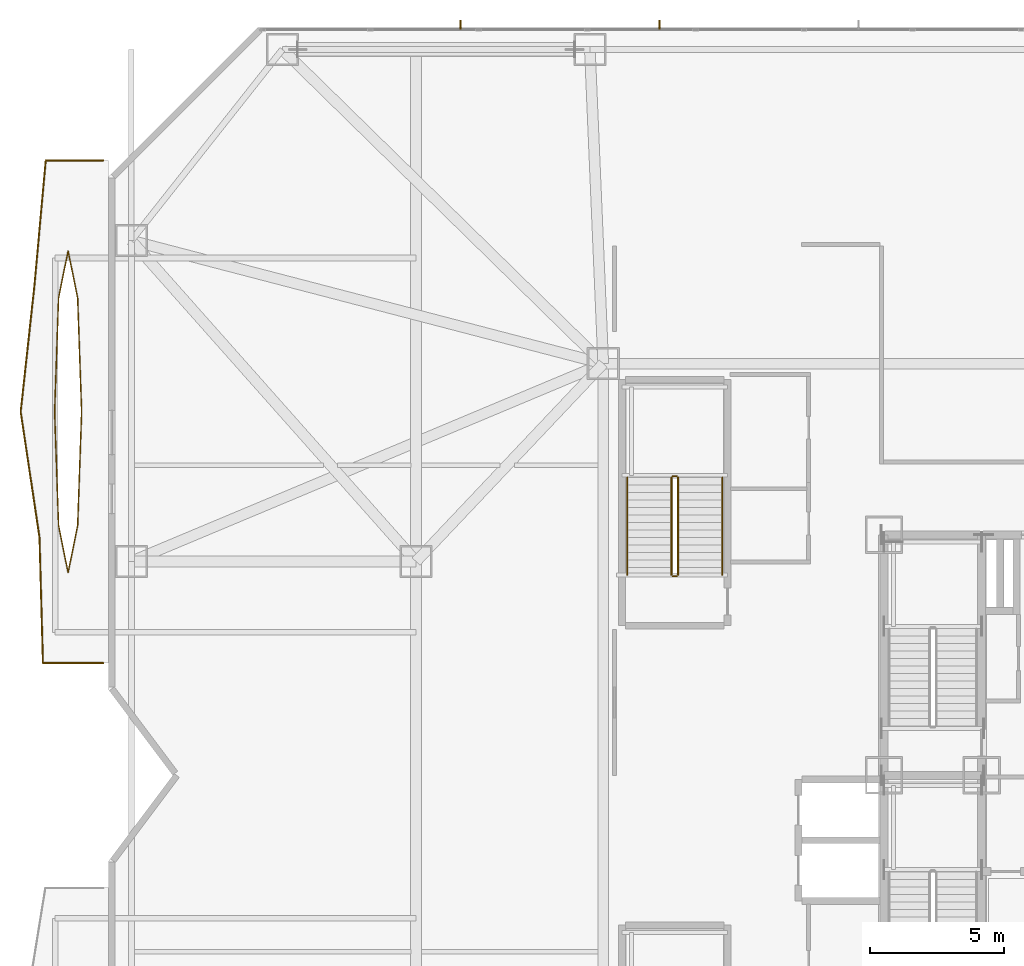
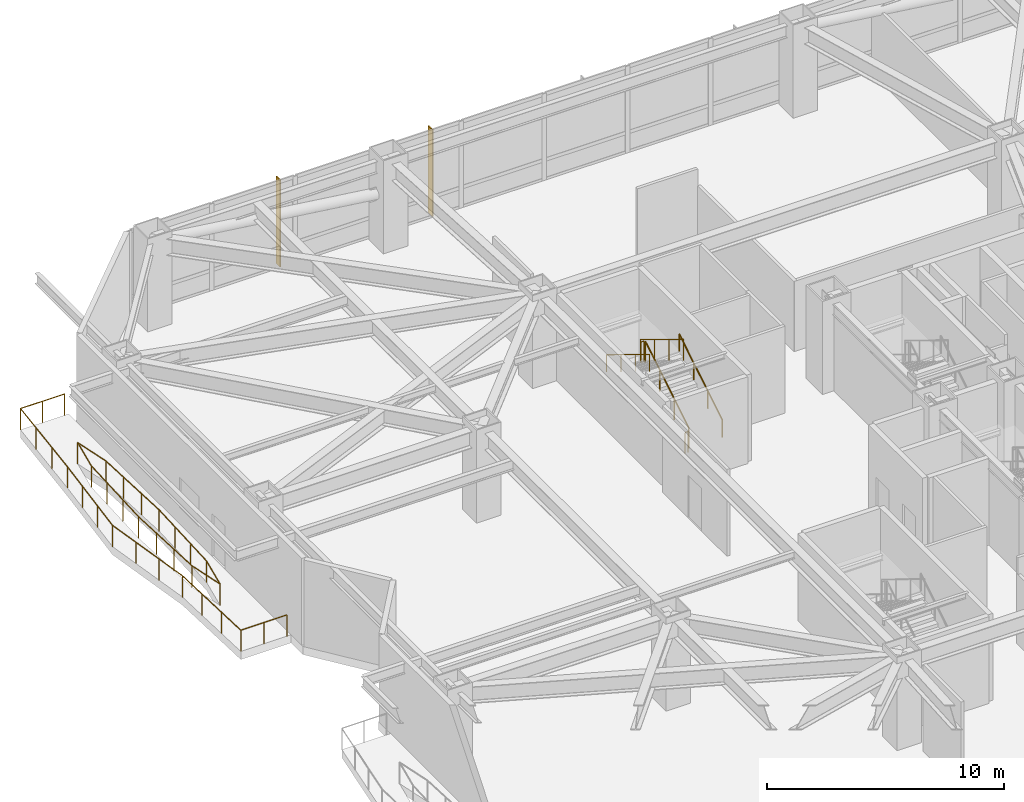
# One storey, part 31 of 33: 10 railings, 2 shading devices.
"""IFC4 building model written with IfcOpenShell, lengths in metres."""

from ifc_helpers import new_model, si_unit, direction, frame, origin, origin_2d, place, context, subcontext, project, spatial, rectangle, circle, extrude, material, type_object, element, save


model = new_model("IFC4")

# Units and contexts
model_context = context("Model", 3, precision=1e-05, world=origin(), true_north=direction((0.0, 1.0)))
body_context = subcontext(model_context, "Body", "Model", "MODEL_VIEW")
ifc_project = project(units=[si_unit("LENGTHUNIT", "METRE"), si_unit("AREAUNIT", "SQUARE_METRE"), si_unit("VOLUMEUNIT", "CUBIC_METRE"), si_unit("PLANEANGLEUNIT", "RADIAN"), si_unit("MASSUNIT", "GRAM", prefix="KILO")], contexts=[model_context])

# Site, building, storey
site_placement = place(None, origin())
site = spatial("IfcSite", under=ifc_project, at=site_placement, CompositionType="ELEMENT")
building_placement = place(site_placement, origin())
building = spatial("IfcBuilding", under=site, at=building_placement, Name="Khamvora Tower", CompositionType="ELEMENT")
storey_placement = place(building_placement, frame((0.0, 0.0, 7.199951171875)))
storey = spatial("IfcBuildingStorey", under=building, at=storey_placement, Name="L01", CompositionType="ELEMENT", Elevation=7.199951171875)

# Railings
ifc_material_1 = material(Name="Stainless Steel 316 and Laminated Glass", Category="steel")
railing_type_1 = type_object("IfcRailingType", Name="RAL-GAL-1120", PredefinedType="GUARDRAIL", material=ifc_material_1)
railing_1_placement = place(storey_placement, frame((-0.199951171875, 32.199951171875, 0.0)))
element("IfcRailing", 1, at=railing_1_placement, inside=storey, type_object=railing_type_1, Name="L01 lens gallery south perimeter guardrail WL2", PredefinedType="GUARDRAIL", context=body_context, shape_type="SweptSolid", body=[
    extrude(circle(Radius=0.02392578125, at=origin_2d()), frame((0.0, 0.0, 1.09619140625), z_axis=(-1.0, 0.0, 0.0), x_axis=(0.0, -1.0, 0.0)), (0.0, 0.0, 1.0), 2.258056640625),
    extrude(circle(Radius=0.02392578125, at=origin_2d()), frame((-2.258056640625, 0.0, 1.09619140625), z_axis=(-0.027416836445, 0.999624087885, 0.0), x_axis=(-0.999624087885, -0.027416836445, 0.0)), (0.0, 0.0, 1.0), 4.70166015625),
    extrude(circle(Radius=0.02392578125, at=origin_2d()), frame((-2.386962890625, 4.699951171875, 1.09619140625), z_axis=(-0.147948564483, 0.988995056746, 0.0), x_axis=(-0.988995056746, -0.147948564483, 0.0)), (0.0, 0.0, 1.0), 4.75244140625),
    extrude(circle(Radius=0.02099609375, at=origin_2d()), origin(), (0.0, 0.0, 1.0), 1.072021484375),
    extrude(circle(Radius=0.02099609375, at=origin_2d()), frame((-1.12890625, 0.0, 0.0)), (0.0, 0.0, 1.0), 1.072021484375),
    extrude(circle(Radius=0.02099609375, at=origin_2d()), frame((-2.258056640625, 0.0, 0.0)), (0.0, 0.0, 1.0), 1.072021484375),
    extrude(circle(Radius=0.02099609375, at=origin_2d()), frame((-2.301025390625, 1.566650390625, 0.0)), (0.0, 0.0, 1.0), 1.072021484375),
    extrude(circle(Radius=0.02099609375, at=origin_2d()), frame((-2.343994140625, 3.13330078125, 0.0)), (0.0, 0.0, 1.0), 1.072021484375),
    extrude(circle(Radius=0.02099609375, at=origin_2d()), frame((-2.386962890625, 4.699951171875, 0.0)), (0.0, 0.0, 1.0), 1.072021484375),
    extrude(circle(Radius=0.02099609375, at=origin_2d()), frame((-2.621337890625, 6.2666015625, 0.0)), (0.0, 0.0, 1.0), 1.072021484375),
    extrude(circle(Radius=0.02099609375, at=origin_2d()), frame((-2.855712890625, 7.83349609375, 0.0)), (0.0, 0.0, 1.0), 1.072021484375),
    extrude(circle(Radius=0.02099609375, at=origin_2d()), frame((-3.090087890625, 9.400146484375, 0.0)), (0.0, 0.0, 1.0), 1.072021484375),
])
railing_2_placement = place(storey_placement, frame((-3.2900390625, 41.60009765625, 0.0)))
element("IfcRailing", 2, at=railing_2_placement, inside=storey, type_object=railing_type_1, Name="L01 lens gallery north perimeter guardrail WL2", PredefinedType="GUARDRAIL", context=body_context, shape_type="SweptSolid", body=[
    extrude(circle(Radius=0.02392578125, at=origin_2d()), frame((0.0, 0.0, 1.09619140625), z_axis=(0.108084699753, 0.994141688935, 0.0), x_axis=(-0.994141688935, 0.108084699753, 0.0)), (0.0, 0.0, 1.0), 4.7275390625),
    extrude(circle(Radius=0.02392578125, at=origin_2d()), frame((0.510986328125, 4.699951171875, 1.09619140625), z_axis=(0.090274532388, 0.995916918624, 0.0), x_axis=(-0.995916918624, 0.090274532388, 0.0)), (0.0, 0.0, 1.0), 4.71923828125),
    extrude(circle(Radius=0.02392578125, at=origin_2d()), frame((0.93701171875, 9.39990234375, 1.09619140625), z_axis=(1.0, 0.0, 0.0), x_axis=(0.0, 1.0, 0.0)), (0.0, 0.0, 1.0), 2.153076171875),
    extrude(circle(Radius=0.02099609375, at=origin_2d()), origin(), (0.0, 0.0, 1.0), 1.072021484375),
    extrude(circle(Radius=0.02099609375, at=origin_2d()), frame((0.17041015625, 1.566650390625, 0.0)), (0.0, 0.0, 1.0), 1.072021484375),
    extrude(circle(Radius=0.02099609375, at=origin_2d()), frame((0.340576171875, 3.13330078125, 0.0)), (0.0, 0.0, 1.0), 1.072021484375),
    extrude(circle(Radius=0.02099609375, at=origin_2d()), frame((0.510986328125, 4.699951171875, 0.0)), (0.0, 0.0, 1.0), 1.072021484375),
    extrude(circle(Radius=0.02099609375, at=origin_2d()), frame((0.653076171875, 6.2666015625, 0.0)), (0.0, 0.0, 1.0), 1.072021484375),
    extrude(circle(Radius=0.02099609375, at=origin_2d()), frame((0.794921875, 7.833251953125, 0.0)), (0.0, 0.0, 1.0), 1.072021484375),
    extrude(circle(Radius=0.02099609375, at=origin_2d()), frame((0.93701171875, 9.39990234375, 0.0)), (0.0, 0.0, 1.0), 1.072021484375),
    extrude(circle(Radius=0.02099609375, at=origin_2d()), frame((2.013671875, 9.39990234375, 0.0)), (0.0, 0.0, 1.0), 1.072021484375),
    extrude(circle(Radius=0.02099609375, at=origin_2d()), frame((3.090087890625, 9.39990234375, 0.0)), (0.0, 0.0, 1.0), 1.072021484375),
])
railing_3_placement = place(storey_placement, frame((-1.010986328125, 41.60009765625, 0.0)))
element("IfcRailing", 3, at=railing_3_placement, inside=storey, type_object=railing_type_1, Name="L01 lens gallery void guardrail WL2A", PredefinedType="GUARDRAIL", context=body_context, shape_type="SweptSolid", body=[
    extrude(circle(Radius=0.02392578125, at=origin_2d()), frame((0.0, 0.0, 1.09619140625), z_axis=(-0.034758598303, 0.999395737355, 0.0), x_axis=(-0.999395737355, -0.034758598303, 0.0)), (0.0, 0.0, 1.0), 4.256591796875),
    extrude(circle(Radius=0.02392578125, at=origin_2d()), frame((-0.14794921875, 4.25390625, 1.09619140625), z_axis=(-0.198022438185, 0.980197487232, 0.0), x_axis=(-0.980197487232, -0.198022438185, 0.0)), (0.0, 0.0, 1.0), 1.797607421875),
    extrude(circle(Radius=0.02392578125, at=origin_2d()), frame((-0.50390625, 6.015869140625, 1.09619140625), z_axis=(-0.198152924969, -0.98017111686, 0.0), x_axis=(0.98017111686, -0.198152924969, 0.0)), (0.0, 0.0, 1.0), 1.797607421875),
    extrude(circle(Radius=0.02392578125, at=origin_2d()), frame((-0.860107421875, 4.25390625, 1.09619140625), z_axis=(-0.034758598303, -0.999395737355, 0.0), x_axis=(0.999395737355, -0.034758598303, 0.0)), (0.0, 0.0, 1.0), 4.256591796875),
    extrude(circle(Radius=0.02099609375, at=origin_2d()), origin(), (0.0, 0.0, 1.0), 1.072021484375),
    extrude(circle(Radius=0.02099609375, at=origin_2d()), frame((-0.04931640625, 1.41796875, 0.0)), (0.0, 0.0, 1.0), 1.072021484375),
    extrude(circle(Radius=0.02099609375, at=origin_2d()), frame((-0.0986328125, 2.8359375, 0.0)), (0.0, 0.0, 1.0), 1.072021484375),
    extrude(circle(Radius=0.02099609375, at=origin_2d()), frame((-0.14794921875, 4.25390625, 0.0)), (0.0, 0.0, 1.0), 1.072021484375),
    extrude(circle(Radius=0.02099609375, at=origin_2d()), frame((-0.50390625, 6.015869140625, 0.0)), (0.0, 0.0, 1.0), 1.072021484375),
    extrude(circle(Radius=0.02099609375, at=origin_2d()), frame((-0.860107421875, 4.25390625, 0.0)), (0.0, 0.0, 1.0), 1.072021484375),
    extrude(circle(Radius=0.02099609375, at=origin_2d()), frame((-0.909423828125, 2.8359375, 0.0)), (0.0, 0.0, 1.0), 1.072021484375),
    extrude(circle(Radius=0.02099609375, at=origin_2d()), frame((-0.958740234375, 1.41796875, 0.0)), (0.0, 0.0, 1.0), 1.072021484375),
    extrude(circle(Radius=0.02099609375, at=origin_2d()), frame((-1.008056640625, 0.0, 0.0)), (0.0, 0.0, 1.0), 1.072021484375),
])
railing_4_placement = place(storey_placement, frame((-2.01904296875, 41.60009765625, 0.0)))
element("IfcRailing", 4, at=railing_4_placement, inside=storey, type_object=railing_type_1, Name="L01 lens gallery void guardrail WL2B", PredefinedType="GUARDRAIL", context=body_context, shape_type="SweptSolid", body=[
    extrude(circle(Radius=0.02392578125, at=origin_2d()), frame((0.0, 0.0, 1.09619140625), z_axis=(0.034756605959, -0.999395806646, 0.0), x_axis=(0.999395806646, 0.034756605959, 0.0)), (0.0, 0.0, 1.0), 4.2568359375),
    extrude(circle(Radius=0.02392578125, at=origin_2d()), frame((0.14794921875, -4.254150390625, 1.09619140625), z_axis=(0.198152924969, -0.98017111686, 0.0), x_axis=(0.98017111686, 0.198152924969, 0.0)), (0.0, 0.0, 1.0), 1.797607421875),
    extrude(circle(Radius=0.02392578125, at=origin_2d()), frame((0.504150390625, -6.01611328125, 1.09619140625), z_axis=(0.198022438185, 0.980197487232, 0.0), x_axis=(-0.980197487232, 0.198022438185, 0.0)), (0.0, 0.0, 1.0), 1.797607421875),
    extrude(circle(Radius=0.02392578125, at=origin_2d()), frame((0.860107421875, -4.254150390625, 1.09619140625), z_axis=(0.034756605959, 0.999395806646, 0.0), x_axis=(-0.999395806646, 0.034756605959, 0.0)), (0.0, 0.0, 1.0), 4.2568359375),
    extrude(circle(Radius=0.02099609375, at=origin_2d()), origin(), (0.0, 0.0, 1.0), 1.072021484375),
    extrude(circle(Radius=0.02099609375, at=origin_2d()), frame((0.04931640625, -1.41796875, 0.0)), (0.0, 0.0, 1.0), 1.072021484375),
    extrude(circle(Radius=0.02099609375, at=origin_2d()), frame((0.0986328125, -2.836181640625, 0.0)), (0.0, 0.0, 1.0), 1.072021484375),
    extrude(circle(Radius=0.02099609375, at=origin_2d()), frame((0.14794921875, -4.254150390625, 0.0)), (0.0, 0.0, 1.0), 1.072021484375),
    extrude(circle(Radius=0.02099609375, at=origin_2d()), frame((0.504150390625, -6.01611328125, 0.0)), (0.0, 0.0, 1.0), 1.072021484375),
    extrude(circle(Radius=0.02099609375, at=origin_2d()), frame((0.860107421875, -4.254150390625, 0.0)), (0.0, 0.0, 1.0), 1.072021484375),
    extrude(circle(Radius=0.02099609375, at=origin_2d()), frame((0.909423828125, -2.836181640625, 0.0)), (0.0, 0.0, 1.0), 1.072021484375),
    extrude(circle(Radius=0.02099609375, at=origin_2d()), frame((0.958740234375, -1.41796875, 0.0)), (0.0, 0.0, 1.0), 1.072021484375),
    extrude(circle(Radius=0.02099609375, at=origin_2d()), frame((1.008056640625, 0.0, 0.0)), (0.0, 0.0, 1.0), 1.072021484375),
])
ifc_material_2 = material(Name="Brushed Stainless Steel 316", Category="steel")
railing_type_2 = type_object("IfcRailingType", Name="RAL-HDR-920", PredefinedType="HANDRAIL", material=ifc_material_2)
railing_5_placement = place(storey_placement, frame((22.949951171875, 35.5, 0.17138671875)))
element("IfcRailing", 5, at=railing_5_placement, inside=storey, type_object=railing_type_2, Name="L01 ST-04 stair handrail 1", PredefinedType="HANDRAIL", context=body_context, shape_type="SweptSolid", body=[
    extrude(circle(Radius=0.02392578125, at=origin_2d()), frame((0.0, 0.0, 0.8759765625), z_axis=(0.0, 0.852824790078, 0.522197163366), x_axis=(-1.0, 0.0, 0.0)), (0.0, 0.0, 1.0), 4.26806640625),
    extrude(circle(Radius=0.02099609375, at=origin_2d()), origin(), (0.0, 0.0, 1.0), 0.851806640625),
    extrude(circle(Radius=0.02099609375, at=origin_2d()), frame((0.0, 1.21337890625, 0.742919921875)), (0.0, 0.0, 1.0), 0.851806640625),
    extrude(circle(Radius=0.02099609375, at=origin_2d()), frame((0.0, 2.426513671875, 1.48583984375)), (0.0, 0.0, 1.0), 0.851806640625),
    extrude(circle(Radius=0.02099609375, at=origin_2d()), frame((0.0, 3.639892578125, 2.228759765625)), (0.0, 0.0, 1.0), 0.851806640625),
])
railing_6_placement = place(storey_placement, frame((19.39990234375, 39.139892578125, 2.571533203125)))
element("IfcRailing", 6, at=railing_6_placement, inside=storey, type_object=railing_type_2, Name="L01 ST-04 stair handrail 2", PredefinedType="HANDRAIL", context=body_context, shape_type="SweptSolid", body=[
    extrude(circle(Radius=0.02392578125, at=origin_2d()), frame((0.0, 0.0, 0.8759765625), z_axis=(0.0, -0.852850264322, 0.5221555579), x_axis=(1.0, 0.0, 0.0)), (0.0, 0.0, 1.0), 4.267822265625),
    extrude(circle(Radius=0.02099609375, at=origin_2d()), origin(), (0.0, 0.0, 1.0), 0.851806640625),
    extrude(circle(Radius=0.02099609375, at=origin_2d()), frame((0.0, -1.21337890625, 0.742919921875)), (0.0, 0.0, 1.0), 0.851806640625),
    extrude(circle(Radius=0.02099609375, at=origin_2d()), frame((0.0, -2.426513671875, 1.485595703125)), (0.0, 0.0, 1.0), 0.851806640625),
    extrude(circle(Radius=0.02099609375, at=origin_2d()), frame((0.0, -3.639892578125, 2.228515625)), (0.0, 0.0, 1.0), 0.851806640625),
])
ifc_material_3 = material(Name="Stainless Steel 316", Category="steel")
railing_type_3 = type_object("IfcRailingType", Name="RAL-STG-1100", PredefinedType="GUARDRAIL", material=ifc_material_3)
railing_7_placement = place(storey_placement, frame((21.300048828125, 35.5, 0.17138671875)))
element("IfcRailing", 7, at=railing_7_placement, inside=storey, type_object=railing_type_3, Name="L01 ST-04 stair guard 1", PredefinedType="GUARDRAIL", context=body_context, shape_type="SweptSolid", body=[
    extrude(circle(Radius=0.02392578125, at=origin_2d()), frame((0.0, 0.0, 1.076171875), z_axis=(0.0, 0.852824790078, 0.522197163366), x_axis=(-1.0, 0.0, 0.0)), (0.0, 0.0, 1.0), 4.26806640625),
    extrude(circle(Radius=0.02099609375, at=origin_2d()), origin(), (0.0, 0.0, 1.0), 1.052001953125),
    extrude(circle(Radius=0.02099609375, at=origin_2d()), frame((0.0, 1.21337890625, 0.742919921875)), (0.0, 0.0, 1.0), 1.052001953125),
    extrude(circle(Radius=0.02099609375, at=origin_2d()), frame((0.0, 2.426513671875, 1.48583984375)), (0.0, 0.0, 1.0), 1.052001953125),
    extrude(circle(Radius=0.02099609375, at=origin_2d()), frame((0.0, 3.639892578125, 2.228759765625)), (0.0, 0.0, 1.0), 1.052001953125),
])
railing_8_placement = place(storey_placement, frame((21.25, 39.18994140625, 2.400146484375)))
element("IfcRailing", 8, at=railing_8_placement, inside=storey, type_object=railing_type_3, Name="L01 ST-04 stair guard 2", PredefinedType="GUARDRAIL", context=body_context, shape_type="SweptSolid", body=[
    extrude(circle(Radius=0.02392578125, at=origin_2d()), frame((0.0, 0.0, 1.076171875), z_axis=(-1.0, 0.0, 0.0), x_axis=(0.0, -1.0, 0.0)), (0.0, 0.0, 1.0), 0.14990234375),
    extrude(circle(Radius=0.02099609375, at=origin_2d()), origin(), (0.0, 0.0, 1.0), 1.052001953125),
    extrude(circle(Radius=0.02099609375, at=origin_2d()), frame((-0.14990234375, 0.0, 0.0)), (0.0, 0.0, 1.0), 1.052001953125),
])
railing_9_placement = place(storey_placement, frame((21.050048828125, 39.139892578125, 2.571533203125)))
element("IfcRailing", 9, at=railing_9_placement, inside=storey, type_object=railing_type_3, Name="L01 ST-04 stair guard 3", PredefinedType="GUARDRAIL", context=body_context, shape_type="SweptSolid", body=[
    extrude(circle(Radius=0.02392578125, at=origin_2d()), frame((0.0, 0.0, 1.076171875), z_axis=(0.0, -0.852850264322, 0.5221555579), x_axis=(1.0, 0.0, 0.0)), (0.0, 0.0, 1.0), 4.267822265625),
    extrude(circle(Radius=0.02099609375, at=origin_2d()), origin(), (0.0, 0.0, 1.0), 1.052001953125),
    extrude(circle(Radius=0.02099609375, at=origin_2d()), frame((0.0, -1.21337890625, 0.742919921875)), (0.0, 0.0, 1.0), 1.052001953125),
    extrude(circle(Radius=0.02099609375, at=origin_2d()), frame((0.0, -2.426513671875, 1.485595703125)), (0.0, 0.0, 1.0), 1.052001953125),
    extrude(circle(Radius=0.02099609375, at=origin_2d()), frame((0.0, -3.639892578125, 2.228515625)), (0.0, 0.0, 1.0), 1.052001953125),
])
railing_10_placement = place(storey_placement, frame((21.25, 35.449951171875, 0.0)))
element("IfcRailing", 10, at=railing_10_placement, inside=storey, type_object=railing_type_3, Name="L01 ST-04 stair guard 4", PredefinedType="GUARDRAIL", context=body_context, shape_type="SweptSolid", body=[
    extrude(circle(Radius=0.02392578125, at=origin_2d()), frame((0.0, 0.0, 1.076171875), z_axis=(-1.0, 0.0, 0.0), x_axis=(0.0, -1.0, 0.0)), (0.0, 0.0, 1.0), 0.14990234375),
    extrude(circle(Radius=0.02099609375, at=origin_2d()), origin(), (0.0, 0.0, 1.0), 1.052001953125),
    extrude(circle(Radius=0.02099609375, at=origin_2d()), frame((-0.14990234375, 0.0, 0.0)), (0.0, 0.0, 1.0), 1.052001953125),
])

# Shading devices
ifc_material_4 = material(Name="Anodised Bronze Aluminium 6063-T6", Category="aluminium")
shading_device_type = type_object("IfcShadingDeviceType", Name="SHD-FIN-350", PredefinedType="USERDEFINED", material=ifc_material_4)
for number, where, z_axis, x_axis, name in (
    (11, (13.1640625, 56.077880859375, 0.0), (0.0, 0.0, 1.0), (1.0, 0.0, 0.0), "L01 anodised bronze solar fin 07.01"),
    (12, (20.60107421875, 56.077880859375, 0.0), (0.0, 0.0, 1.0), (1.0, 0.0, 0.0), "L01 anodised bronze solar fin 07.02"),
):
    element("IfcShadingDevice", number, at=place(storey_placement, frame(where, z_axis=z_axis, x_axis=x_axis)), inside=storey, type_object=shading_device_type, Name=name, ObjectType="FIN", PredefinedType="USERDEFINED", context=body_context, shape_type="SweptSolid", body=[
        extrude(rectangle(XDim=0.054931640625, YDim=0.35009765625, at=origin_2d()), origin(), (0.0, 0.0, 1.0), 4.47998046875),
    ])

save(model, "model.ifc")
